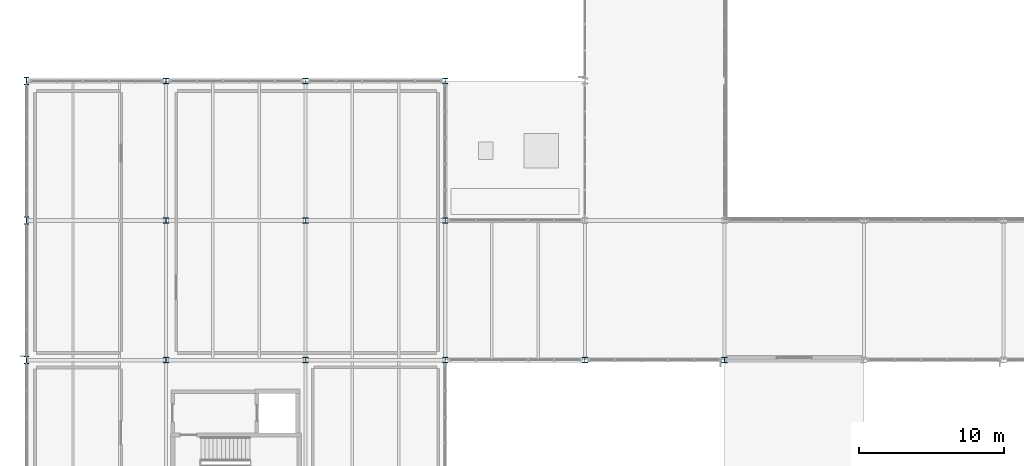
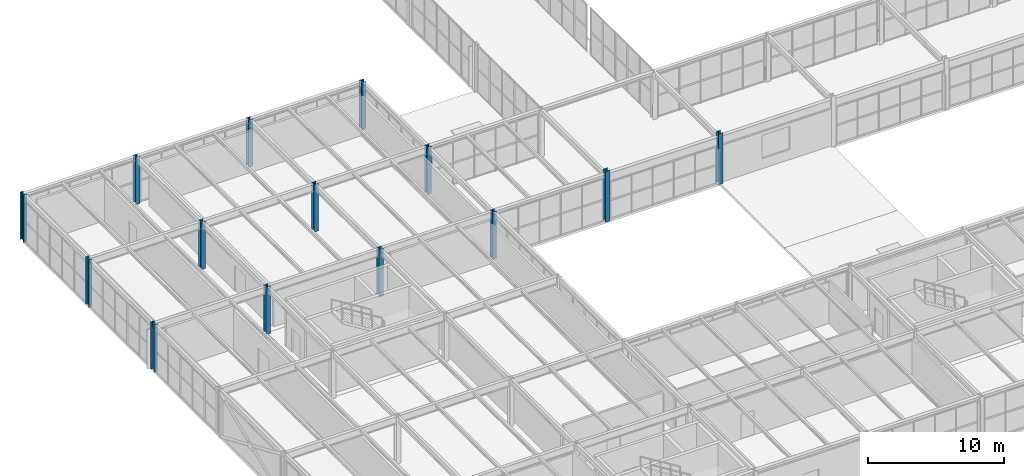
# One storey, part 3 of 170: 14 columns.
"""IFC4 building model written with IfcOpenShell, lengths in metres."""

from ifc_helpers import new_model, si_unit, direction, frame, origin, origin_2d, place, context, subcontext, project, spatial, i_section, extrude, material, material_profile, profile_set, type_object, element, save


model = new_model("IFC4")

# Units and contexts
model_context = context("Model", 3, precision=1e-05, world=origin(), true_north=direction((0.0, 1.0)))
body_context = subcontext(model_context, "Body", "Model", "MODEL_VIEW")
ifc_project = project(units=[si_unit("LENGTHUNIT", "METRE"), si_unit("AREAUNIT", "SQUARE_METRE"), si_unit("VOLUMEUNIT", "CUBIC_METRE"), si_unit("PLANEANGLEUNIT", "RADIAN"), si_unit("MASSUNIT", "GRAM", prefix="KILO")], contexts=[model_context])

# Site, building, storey
site_placement = place(None, origin())
site = spatial("IfcSite", under=ifc_project, at=site_placement, CompositionType="ELEMENT")
building_placement = place(site_placement, origin())
building = spatial("IfcBuilding", under=site, at=building_placement, Name="Coralgate Yard Interchange", CompositionType="ELEMENT")
storey_placement = place(building_placement, frame((0.0, 0.0, 6.0)))
storey = spatial("IfcBuildingStorey", under=building, at=storey_placement, Name="L01", CompositionType="ELEMENT", Elevation=6.0)

# Columns
ifc_material = material(Name="Structural steel S355J2", Category="steel")
ifc_material_profile_1 = material_profile(ifc_material, i_section(OverallWidth=0.300048828125, OverallDepth=0.5, WebThickness=0.014404296875, FlangeThickness=0.028076171875, FilletRadius=0.027099609375, at=origin_2d()), Name="HEB 500")
ifc_profile_set_1 = profile_set([ifc_material_profile_1], Name="Structural steel S355J2")
column_type_1 = type_object("IfcColumnType", Name="COL-SC-10", PredefinedType="COLUMN", material=ifc_profile_set_1)
for number, where, z_axis, x_axis, name in (
    (1, (0.0, 38.39990234375, 0.0), (0.0, 0.0, 1.0), (1.0, 0.0, 0.0), "L01 structural column 0-4"),
    (2, (0.0, 48.0, 0.0), (0.0, 0.0, 1.0), (1.0, 0.0, 0.0), "L01 structural column 0-5"),
    (3, (0.0, 57.60009765625, 0.0), (0.0, 0.0, 1.0), (1.0, 0.0, 0.0), "L01 structural column 0-6"),
):
    element("IfcColumn", number, at=place(storey_placement, frame(where, z_axis=z_axis, x_axis=x_axis)), inside=storey, type_object=column_type_1, Name=name, PredefinedType="COLUMN", context=body_context, shape_type="SweptSolid", body=[
        extrude(i_section(OverallWidth=0.300048828125, OverallDepth=0.5, WebThickness=0.014404296875, FlangeThickness=0.028076171875, FilletRadius=0.027099609375, at=origin_2d()), origin(), (0.0, 0.0, 1.0), 4.25),
    ])
ifc_material_profile_2 = material_profile(ifc_material, i_section(OverallWidth=0.37255859375, OverallDepth=0.3681640625, WebThickness=0.014404296875, FlangeThickness=0.023681640625, FilletRadius=0.01513671875, at=origin_2d()), Name="UC 356x368x177")
ifc_profile_set_2 = profile_set([ifc_material_profile_2], Name="Structural steel S355J2")
column_type_2 = type_object("IfcColumnType", Name="COL-SC-3", PredefinedType="COLUMN", material=ifc_profile_set_2)
for number, where, z_axis, x_axis, name in (
    (4, (9.60009765625, 38.39990234375, 0.0), (0.0, 0.0, 1.0), (1.0, 0.0, 0.0), "L01 structural column 1-4"),
    (5, (9.60009765625, 48.0, 0.0), (0.0, 0.0, 1.0), (1.0, 0.0, 0.0), "L01 structural column 1-5"),
    (6, (9.60009765625, 57.60009765625, 0.0), (0.0, 0.0, 1.0), (1.0, 0.0, 0.0), "L01 structural column 1-6"),
    (7, (19.199951171875, 38.39990234375, 0.0), (0.0, 0.0, 1.0), (1.0, 0.0, 0.0), "L01 structural column 2-4"),
    (8, (19.199951171875, 48.0, 0.0), (0.0, 0.0, 1.0), (1.0, 0.0, 0.0), "L01 structural column 2-5"),
    (9, (19.199951171875, 57.60009765625, 0.0), (0.0, 0.0, 1.0), (1.0, 0.0, 0.0), "L01 structural column 2-6"),
    (10, (28.800048828125, 38.39990234375, 0.0), (0.0, 0.0, 1.0), (1.0, 0.0, 0.0), "L01 structural column 3-4"),
    (11, (28.800048828125, 48.0, 0.0), (0.0, 0.0, 1.0), (1.0, 0.0, 0.0), "L01 structural column 3-5"),
    (12, (28.800048828125, 57.60009765625, 0.0), (0.0, 0.0, 1.0), (1.0, 0.0, 0.0), "L01 structural column 3-6"),
):
    element("IfcColumn", number, at=place(storey_placement, frame(where, z_axis=z_axis, x_axis=x_axis)), inside=storey, type_object=column_type_2, Name=name, PredefinedType="COLUMN", context=body_context, shape_type="SweptSolid", body=[
        extrude(i_section(OverallWidth=0.37255859375, OverallDepth=0.3681640625, WebThickness=0.014404296875, FlangeThickness=0.023681640625, FilletRadius=0.01513671875, at=origin_2d()), origin(), (0.0, 0.0, 1.0), 4.25),
    ])
for number, where, z_axis, x_axis, name in (
    (13, (38.39990234375, 38.39990234375, 0.0), (0.0, 0.0, 1.0), (1.0, 0.0, 0.0), "L01 structural column 4-4"),
    (14, (48.0, 38.39990234375, 0.0), (0.0, 0.0, 1.0), (1.0, 0.0, 0.0), "L01 structural column 5-4"),
):
    element("IfcColumn", number, at=place(storey_placement, frame(where, z_axis=z_axis, x_axis=x_axis)), inside=storey, type_object=column_type_2, Name=name, PredefinedType="COLUMN", context=body_context, shape_type="SweptSolid", body=[
        extrude(i_section(OverallWidth=0.37255859375, OverallDepth=0.3681640625, WebThickness=0.014404296875, FlangeThickness=0.023681640625, FilletRadius=0.01513671875, at=origin_2d()), origin(), (0.0, 0.0, 1.0), 4.550048828125),
    ])

save(model, "model.ifc")
